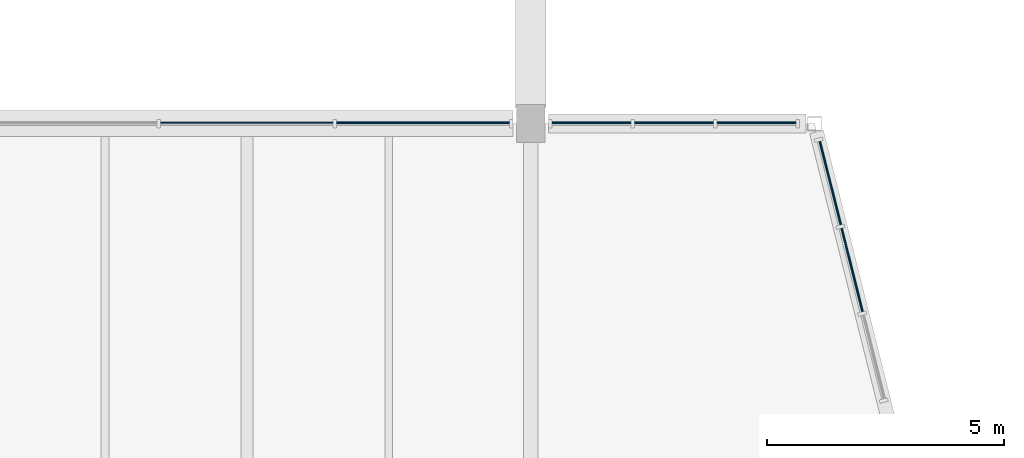
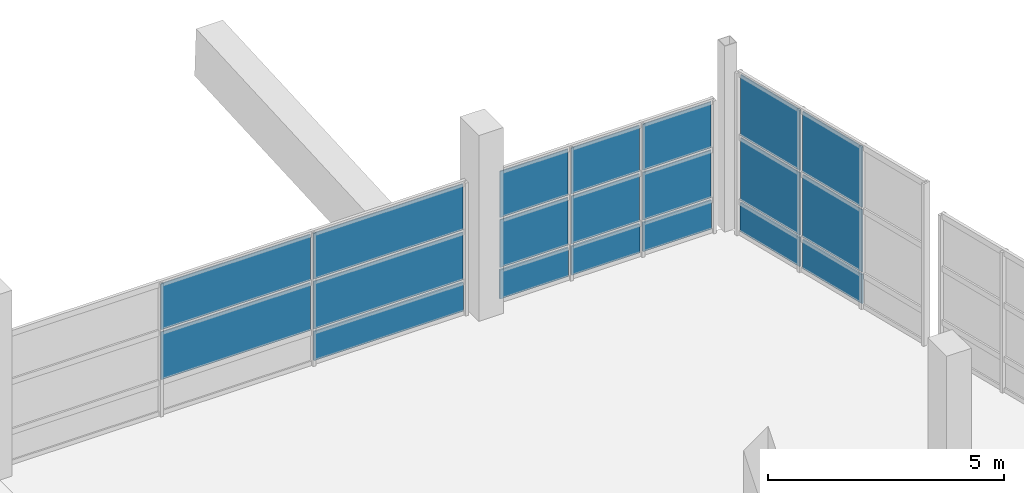
# One storey, part 33 of 49: 20 plates, 3 elements without a shape of their own.
"""IFC4 building model written with IfcOpenShell, lengths in metres."""

from ifc_helpers import new_model, si_unit, direction, frame, origin, origin_2d, place, context, subcontext, project, spatial, rectangle, extrude, material, layer, layer_set, type_object, element, aggregate, save


model = new_model("IFC4")

# Units and contexts
model_context = context("Model", 3, precision=1e-05, world=origin(), true_north=direction((0.0, 1.0)))
body_context = subcontext(model_context, "Body", "Model", "MODEL_VIEW")
ifc_project = project(units=[si_unit("LENGTHUNIT", "METRE"), si_unit("AREAUNIT", "SQUARE_METRE"), si_unit("VOLUMEUNIT", "CUBIC_METRE"), si_unit("PLANEANGLEUNIT", "RADIAN"), si_unit("MASSUNIT", "GRAM", prefix="KILO")], contexts=[model_context])

# Site, building, storey
site_placement = place(None, origin())
site = spatial("IfcSite", under=ifc_project, at=site_placement, CompositionType="ELEMENT")
building_placement = place(site_placement, origin())
building = spatial("IfcBuilding", under=site, at=building_placement, Name="Kamomehara Wholesale Market", CompositionType="ELEMENT")
storey_placement = place(building_placement, frame((0.0, 0.0, 11.39990234375)))
storey = spatial("IfcBuildingStorey", under=building, at=storey_placement, Name="L02", CompositionType="ELEMENT", Elevation=11.39990234375)

# Curtain wall, plates
ifc_material_1 = material(Name="Anodised aluminium 6063-T5", Category="aluminium")
curtain_wall_type_1 = type_object("IfcCurtainWallType", Name="CW-UN-09", PredefinedType="NOTDEFINED", material=ifc_material_1)
curtain_wall_1_placement = place(storey_placement, origin())
curtain_wall_1 = element("IfcCurtainWall", 1, at=curtain_wall_1_placement, inside=storey, type_object=curtain_wall_type_1, Name="Unitised curtain wall CW-203", PredefinedType="NOTDEFINED")
ifc_material_2 = material(Name="Solar-control Low-E double glazing", Category="glass")
ifc_layer_1 = layer(ifc_material_2, 0.028076171875)
ifc_layer_set_1 = layer_set([ifc_layer_1], Name="Solar-control Low-E double glazing")
plate_type_1 = type_object("IfcPlateType", Name="CW-PNL-GLZ", PredefinedType="CURTAIN_PANEL", material=ifc_layer_set_1)
plate_1_placement = place(storey_placement, frame((186.333984375, 94.74609375, 0.87939453125), z_axis=(0.0, 0.0, 1.0), x_axis=(0.242616162662, -0.970122362187, 0.0)))
plate_1 = element("IfcPlate", 2, at=plate_1_placement, type_object=plate_type_1, Name="Curtain panel CW-203.0.1", PredefinedType="CURTAIN_PANEL", context=body_context, shape_type="SweptSolid", body=[
    extrude(rectangle(XDim=1.81494140625, YDim=0.028076171875, at=origin_2d()), origin(), (0.0, 0.0, 1.0), 1.611083984375),
])
plate_2_placement = place(storey_placement, frame((186.333984375, 94.74609375, 2.55078125), z_axis=(0.0, 0.0, 1.0), x_axis=(0.242616162662, -0.970122362187, 0.0)))
plate_2 = element("IfcPlate", 3, at=plate_2_placement, type_object=plate_type_1, Name="Curtain panel CW-203.0.2", PredefinedType="CURTAIN_PANEL", context=body_context, shape_type="SweptSolid", body=[
    extrude(rectangle(XDim=1.81494140625, YDim=0.028076171875, at=origin_2d()), origin(), (0.0, 0.0, 1.0), 1.571044921875),
])
plate_3_placement = place(storey_placement, frame((186.7939453125, 92.907958984375, 0.87939453125), z_axis=(0.0, 0.0, 1.0), x_axis=(0.242616162662, -0.970122362187, 0.0)))
plate_3 = element("IfcPlate", 4, at=plate_3_placement, type_object=plate_type_1, Name="Curtain panel CW-203.1.1", PredefinedType="CURTAIN_PANEL", context=body_context, shape_type="SweptSolid", body=[
    extrude(rectangle(XDim=1.81494140625, YDim=0.028076171875, at=origin_2d()), origin(), (0.0, 0.0, 1.0), 1.611083984375),
])
plate_4_placement = place(storey_placement, frame((186.7939453125, 92.907958984375, 2.55078125), z_axis=(0.0, 0.0, 1.0), x_axis=(0.242616162662, -0.970122362187, 0.0)))
plate_4 = element("IfcPlate", 5, at=plate_4_placement, type_object=plate_type_1, Name="Curtain panel CW-203.1.2", PredefinedType="CURTAIN_PANEL", context=body_context, shape_type="SweptSolid", body=[
    extrude(rectangle(XDim=1.81494140625, YDim=0.028076171875, at=origin_2d()), origin(), (0.0, 0.0, 1.0), 1.571044921875),
])

ifc_material_3 = material(Name="Anodised aluminium 6063-T5", Category="aluminium")
curtain_wall_type_2 = type_object("IfcCurtainWallType", Name="CW-UN-08", PredefinedType="NOTDEFINED", material=ifc_material_3)
curtain_wall_2_placement = place(storey_placement, origin())
curtain_wall_2 = element("IfcCurtainWall", 6, at=curtain_wall_2_placement, inside=storey, type_object=curtain_wall_type_2, Name="Unitised curtain wall CW-206", PredefinedType="NOTDEFINED")
plate_5_placement = place(storey_placement, frame((174.0, 96.02001953125, 0.880126953125), z_axis=(0.0, 0.0, 1.0), x_axis=(1.0, 0.0, 0.0)))
plate_5 = element("IfcPlate", 7, at=plate_5_placement, type_object=plate_type_1, Name="Curtain panel CW-206.1.1", PredefinedType="CURTAIN_PANEL", context=body_context, shape_type="SweptSolid", body=[
    extrude(rectangle(XDim=3.64697265625, YDim=0.028076171875, at=origin_2d()), origin(), (0.0, 0.0, 1.0), 1.22998046875),
])
plate_6_placement = place(storey_placement, frame((174.0, 96.02001953125, 2.170166015625), z_axis=(0.0, 0.0, 1.0), x_axis=(1.0, 0.0, 0.0)))
plate_6 = element("IfcPlate", 8, at=plate_6_placement, type_object=plate_type_1, Name="Curtain panel CW-206.1.2", PredefinedType="CURTAIN_PANEL", context=body_context, shape_type="SweptSolid", body=[
    extrude(rectangle(XDim=3.64697265625, YDim=0.028076171875, at=origin_2d()), origin(), (0.0, 0.0, 1.0), 1.18994140625),
])
plate_7_placement = place(storey_placement, frame((177.72705078125, 96.02001953125, 0.880126953125), z_axis=(0.0, 0.0, 1.0), x_axis=(1.0, 0.0, 0.0)))
plate_7 = element("IfcPlate", 9, at=plate_7_placement, type_object=plate_type_1, Name="Curtain panel CW-206.2.1", PredefinedType="CURTAIN_PANEL", context=body_context, shape_type="SweptSolid", body=[
    extrude(rectangle(XDim=3.64697265625, YDim=0.028076171875, at=origin_2d()), origin(), (0.0, 0.0, 1.0), 1.22998046875),
])
plate_8_placement = place(storey_placement, frame((177.72705078125, 96.02001953125, 2.170166015625), z_axis=(0.0, 0.0, 1.0), x_axis=(1.0, 0.0, 0.0)))
plate_8 = element("IfcPlate", 10, at=plate_8_placement, type_object=plate_type_1, Name="Curtain panel CW-206.2.2", PredefinedType="CURTAIN_PANEL", context=body_context, shape_type="SweptSolid", body=[
    extrude(rectangle(XDim=3.64697265625, YDim=0.028076171875, at=origin_2d()), origin(), (0.0, 0.0, 1.0), 1.18994140625),
])

curtain_wall_3_placement = place(storey_placement, origin())
curtain_wall_3 = element("IfcCurtainWall", 11, at=curtain_wall_3_placement, inside=storey, type_object=curtain_wall_type_2, Name="Unitised curtain wall CW-207", PredefinedType="NOTDEFINED")
plate_9_placement = place(storey_placement, frame((181.282958984375, 96.02001953125, 0.880126953125), z_axis=(0.0, 0.0, 1.0), x_axis=(1.0, 0.0, 0.0)))
plate_9 = element("IfcPlate", 12, at=plate_9_placement, type_object=plate_type_1, Name="Curtain panel CW-207.0.1", PredefinedType="CURTAIN_PANEL", context=body_context, shape_type="SweptSolid", body=[
    extrude(rectangle(XDim=1.6669921875, YDim=0.028076171875, at=origin_2d()), origin(), (0.0, 0.0, 1.0), 1.22998046875),
])
plate_10_placement = place(storey_placement, frame((181.282958984375, 96.02001953125, 2.170166015625), z_axis=(0.0, 0.0, 1.0), x_axis=(1.0, 0.0, 0.0)))
plate_10 = element("IfcPlate", 13, at=plate_10_placement, type_object=plate_type_1, Name="Curtain panel CW-207.0.2", PredefinedType="CURTAIN_PANEL", context=body_context, shape_type="SweptSolid", body=[
    extrude(rectangle(XDim=1.6669921875, YDim=0.028076171875, at=origin_2d()), origin(), (0.0, 0.0, 1.0), 1.18994140625),
])
plate_11_placement = place(storey_placement, frame((183.030029296875, 96.02001953125, 0.880126953125), z_axis=(0.0, 0.0, 1.0), x_axis=(1.0, 0.0, 0.0)))
plate_11 = element("IfcPlate", 14, at=plate_11_placement, type_object=plate_type_1, Name="Curtain panel CW-207.1.1", PredefinedType="CURTAIN_PANEL", context=body_context, shape_type="SweptSolid", body=[
    extrude(rectangle(XDim=1.6669921875, YDim=0.028076171875, at=origin_2d()), origin(), (0.0, 0.0, 1.0), 1.22998046875),
])
plate_12_placement = place(storey_placement, frame((183.030029296875, 96.02001953125, 2.170166015625), z_axis=(0.0, 0.0, 1.0), x_axis=(1.0, 0.0, 0.0)))
plate_12 = element("IfcPlate", 15, at=plate_12_placement, type_object=plate_type_1, Name="Curtain panel CW-207.1.2", PredefinedType="CURTAIN_PANEL", context=body_context, shape_type="SweptSolid", body=[
    extrude(rectangle(XDim=1.6669921875, YDim=0.028076171875, at=origin_2d()), origin(), (0.0, 0.0, 1.0), 1.18994140625),
])
plate_13_placement = place(storey_placement, frame((184.777099609375, 96.02001953125, 0.880126953125), z_axis=(0.0, 0.0, 1.0), x_axis=(1.0, 0.0, 0.0)))
plate_13 = element("IfcPlate", 16, at=plate_13_placement, type_object=plate_type_1, Name="Curtain panel CW-207.2.1", PredefinedType="CURTAIN_PANEL", context=body_context, shape_type="SweptSolid", body=[
    extrude(rectangle(XDim=1.6669921875, YDim=0.028076171875, at=origin_2d()), origin(), (0.0, 0.0, 1.0), 1.22998046875),
])
plate_14_placement = place(storey_placement, frame((184.777099609375, 96.02001953125, 2.170166015625), z_axis=(0.0, 0.0, 1.0), x_axis=(1.0, 0.0, 0.0)))
plate_14 = element("IfcPlate", 17, at=plate_14_placement, type_object=plate_type_1, Name="Curtain panel CW-207.2.2", PredefinedType="CURTAIN_PANEL", context=body_context, shape_type="SweptSolid", body=[
    extrude(rectangle(XDim=1.6669921875, YDim=0.028076171875, at=origin_2d()), origin(), (0.0, 0.0, 1.0), 1.18994140625),
])

# Plate
ifc_material_4 = material(Name="Insulated aluminium spandrel panel", Category="aluminium")
ifc_layer_2 = layer(ifc_material_4, 0.0400390625)
ifc_layer_set_2 = layer_set([ifc_layer_2], Name="Insulated aluminium spandrel panel")
plate_type_2 = type_object("IfcPlateType", Name="CW-PNL-SPN", PredefinedType="CURTAIN_PANEL", material=ifc_layer_set_2)
plate_15_placement = place(storey_placement, frame((186.333984375, 94.74609375, 0.070068359375), z_axis=(0.0, 0.0, 1.0), x_axis=(0.242616162662, -0.970122362187, 0.0)))
plate_15 = element("IfcPlate", 18, at=plate_15_placement, type_object=plate_type_2, Name="Curtain panel CW-203.0.0", PredefinedType="CURTAIN_PANEL", context=body_context, shape_type="SweptSolid", body=[
    extrude(rectangle(XDim=1.81494140625, YDim=0.0400390625, at=origin_2d()), origin(), (0.0, 0.0, 1.0), 0.75),
])

plate_16_placement = place(storey_placement, frame((186.7939453125, 92.907958984375, 0.070068359375), z_axis=(0.0, 0.0, 1.0), x_axis=(0.242616162662, -0.970122362187, 0.0)))
plate_16 = element("IfcPlate", 19, at=plate_16_placement, type_object=plate_type_2, Name="Curtain panel CW-203.1.0", PredefinedType="CURTAIN_PANEL", context=body_context, shape_type="SweptSolid", body=[
    extrude(rectangle(XDim=1.81494140625, YDim=0.0400390625, at=origin_2d()), origin(), (0.0, 0.0, 1.0), 0.75),
])

aggregate(curtain_wall_1, [plate_15, plate_1, plate_2, plate_16, plate_3, plate_4])

plate_17_placement = place(storey_placement, frame((177.72705078125, 96.02001953125, 0.070068359375), z_axis=(0.0, 0.0, 1.0), x_axis=(1.0, 0.0, 0.0)))
plate_17 = element("IfcPlate", 20, at=plate_17_placement, type_object=plate_type_2, Name="Curtain panel CW-206.2.0", PredefinedType="CURTAIN_PANEL", context=body_context, shape_type="SweptSolid", body=[
    extrude(rectangle(XDim=3.64697265625, YDim=0.0400390625, at=origin_2d()), origin(), (0.0, 0.0, 1.0), 0.75),
])

aggregate(curtain_wall_2, [plate_5, plate_6, plate_17, plate_7, plate_8])

plate_18_placement = place(storey_placement, frame((181.282958984375, 96.02001953125, 0.070068359375), z_axis=(0.0, 0.0, 1.0), x_axis=(1.0, 0.0, 0.0)))
plate_18 = element("IfcPlate", 21, at=plate_18_placement, type_object=plate_type_2, Name="Curtain panel CW-207.0.0", PredefinedType="CURTAIN_PANEL", context=body_context, shape_type="SweptSolid", body=[
    extrude(rectangle(XDim=1.6669921875, YDim=0.0400390625, at=origin_2d()), origin(), (0.0, 0.0, 1.0), 0.75),
])

plate_19_placement = place(storey_placement, frame((183.030029296875, 96.02001953125, 0.070068359375), z_axis=(0.0, 0.0, 1.0), x_axis=(1.0, 0.0, 0.0)))
plate_19 = element("IfcPlate", 22, at=plate_19_placement, type_object=plate_type_2, Name="Curtain panel CW-207.1.0", PredefinedType="CURTAIN_PANEL", context=body_context, shape_type="SweptSolid", body=[
    extrude(rectangle(XDim=1.6669921875, YDim=0.0400390625, at=origin_2d()), origin(), (0.0, 0.0, 1.0), 0.75),
])

plate_20_placement = place(storey_placement, frame((184.777099609375, 96.02001953125, 0.070068359375), z_axis=(0.0, 0.0, 1.0), x_axis=(1.0, 0.0, 0.0)))
plate_20 = element("IfcPlate", 23, at=plate_20_placement, type_object=plate_type_2, Name="Curtain panel CW-207.2.0", PredefinedType="CURTAIN_PANEL", context=body_context, shape_type="SweptSolid", body=[
    extrude(rectangle(XDim=1.6669921875, YDim=0.0400390625, at=origin_2d()), origin(), (0.0, 0.0, 1.0), 0.75),
])

aggregate(curtain_wall_3, [plate_18, plate_9, plate_10, plate_19, plate_11, plate_12, plate_20, plate_13, plate_14])

save(model, "model.ifc")
